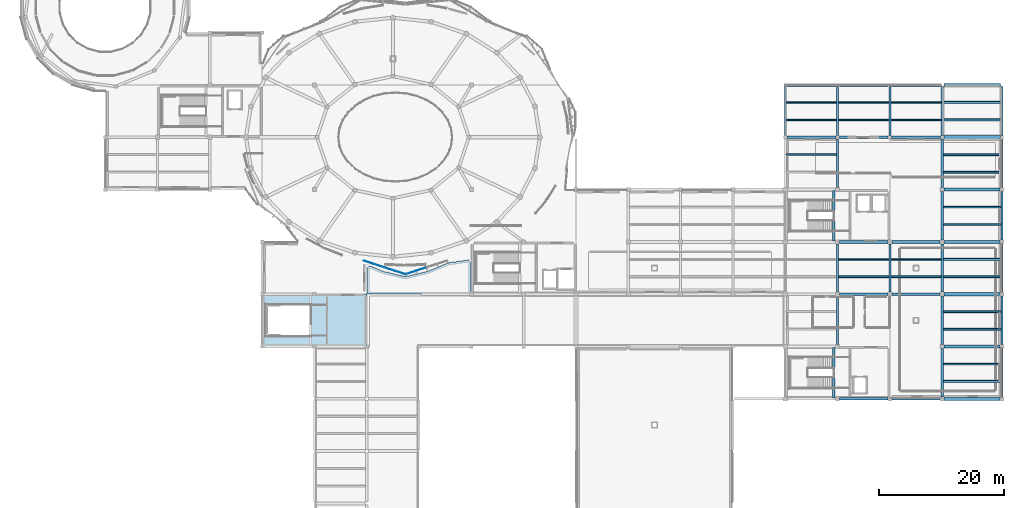
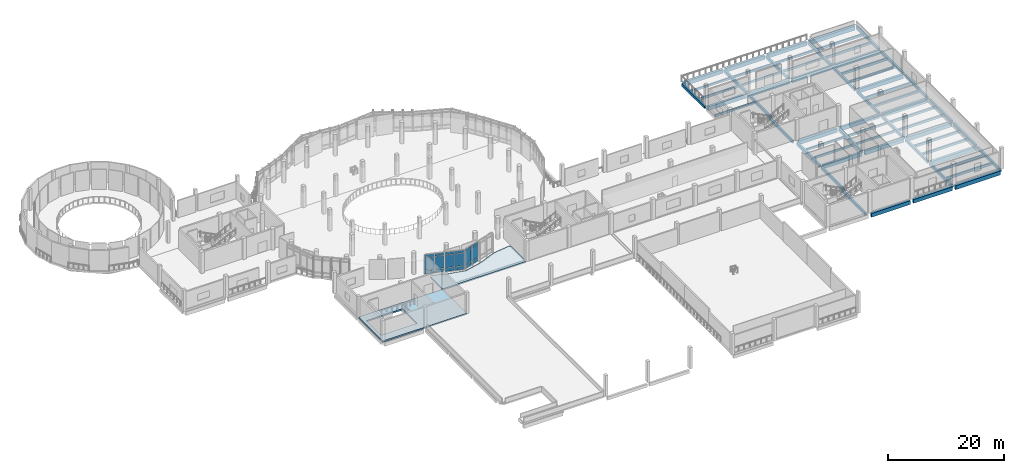
# One storey, part 20 of 46: 63 beams, 18 plates, 2 slabs, 3 elements without a shape of their own.
"""IFC4 building model written with IfcOpenShell, lengths in metres."""

from ifc_helpers import new_model, si_unit, derived_unit, direction, frame, origin, origin_2d, place, context, subcontext, project, spatial, polyline, rectangle, outline, extrude, material, layer, layer_set, material_profile, profile_set, type_object, element, aggregate, save


model = new_model("IFC4")

# Units and contexts
model_context = context("Model", 3, precision=1e-05, world=origin(), true_north=direction((0.0, 1.0)))
body_context = subcontext(model_context, "Body", "Model", "MODEL_VIEW")
ifc_project = project(units=[si_unit("LENGTHUNIT", "METRE"), si_unit("AREAUNIT", "SQUARE_METRE"), si_unit("VOLUMEUNIT", "CUBIC_METRE"), si_unit("PLANEANGLEUNIT", "RADIAN"), si_unit("MASSUNIT", "GRAM", prefix="KILO"), derived_unit("THERMALTRANSMITTANCEUNIT", [(si_unit("POWERUNIT", "WATT"), 1), (si_unit("LENGTHUNIT", "METRE"), -2), (si_unit("THERMODYNAMICTEMPERATUREUNIT", "KELVIN"), -1)])], contexts=[model_context])

# Site, building, storey
site_placement = place(None, origin())
site = spatial("IfcSite", under=ifc_project, at=site_placement, CompositionType="ELEMENT")
building_placement = place(site_placement, origin())
building = spatial("IfcBuilding", under=site, at=building_placement, Name="Elbkamm Science Centre", CompositionType="ELEMENT")
storey_placement = place(building_placement, frame((0.0, 0.0, 9.89990234375)))
storey = spatial("IfcBuildingStorey", under=building, at=storey_placement, Name="L02", CompositionType="ELEMENT", Elevation=9.89990234375)

# Beams
ifc_material_1 = material(Name="Concrete C40/50", Category="concrete")
ifc_material_profile_1 = material_profile(ifc_material_1, rectangle(XDim=0.35009765625, YDim=0.60009765625, at=origin_2d()), Name="RC 350x600")
ifc_profile_set_1 = profile_set([ifc_material_profile_1], Name="Concrete C40/50")
beam_type_1 = type_object("IfcBeamType", Name="BM-RC-350x600", PredefinedType="BEAM", material=ifc_profile_set_1)
beam_1_placement = place(storey_placement, frame((126.0, 67.47509765625, -0.52001953125), z_axis=(0.0, 1.0, 0.0), x_axis=(-1.0, 0.0, 0.0)))
element("IfcBeam", 1, at=beam_1_placement, inside=storey, type_object=beam_type_1, Name="L02 Primary Y-Girder 021", PredefinedType="BEAM", context=body_context, shape_type="SweptSolid", body=[
    extrude(rectangle(XDim=0.35009765625, YDim=0.60009765625, at=origin_2d()), origin(), (0.0, 0.0, 1.0), 7.849853515625),
])
for number, where, z_axis, x_axis, name in (
    (2, (134.39990234375, 33.925048828125, -0.599853515625), (0.0, 1.0, 0.0), (-1.0, 0.0, 0.0), "L02 Primary Y-Girder 022"),
    (3, (134.39990234375, 42.324951171875, -0.599853515625), (0.0, 1.0, 0.0), (-1.0, 0.0, 0.0), "L02 Primary Y-Girder 023"),
):
    element("IfcBeam", number, at=place(storey_placement, frame(where, z_axis=z_axis, x_axis=x_axis)), inside=storey, type_object=beam_type_1, Name=name, PredefinedType="BEAM", context=body_context, shape_type="SweptSolid", body=[
        extrude(rectangle(XDim=0.35009765625, YDim=0.60009765625, at=origin_2d()), origin(), (0.0, 0.0, 1.0), 7.75),
    ])
beam_2_placement = place(storey_placement, frame((134.39990234375, 59.125, -0.599853515625), z_axis=(0.0, 1.0, 0.0), x_axis=(-1.0, 0.0, 0.0)))
element("IfcBeam", 4, at=beam_2_placement, inside=storey, type_object=beam_type_1, Name="L02 Primary Y-Girder 024", PredefinedType="BEAM", context=body_context, shape_type="SweptSolid", body=[
    extrude(rectangle(XDim=0.35009765625, YDim=0.60009765625, at=origin_2d()), origin(), (0.0, 0.0, 1.0), 7.800048828125),
])
beam_3_placement = place(storey_placement, frame((134.39990234375, 67.47509765625, -0.52001953125), z_axis=(0.0, 1.0, 0.0), x_axis=(-1.0, 0.0, 0.0)))
element("IfcBeam", 5, at=beam_3_placement, inside=storey, type_object=beam_type_1, Name="L02 Primary Y-Girder 025", PredefinedType="BEAM", context=body_context, shape_type="SweptSolid", body=[
    extrude(rectangle(XDim=0.35009765625, YDim=0.60009765625, at=origin_2d()), origin(), (0.0, 0.0, 1.0), 7.849853515625),
])
beam_4_placement = place(storey_placement, frame((142.800048828125, 42.324951171875, -0.599853515625), z_axis=(0.0, 1.0, 0.0), x_axis=(-1.0, 0.0, 0.0)))
element("IfcBeam", 6, at=beam_4_placement, inside=storey, type_object=beam_type_1, Name="L02 Primary Y-Girder 026", PredefinedType="BEAM", context=body_context, shape_type="SweptSolid", body=[
    extrude(rectangle(XDim=0.35009765625, YDim=0.60009765625, at=origin_2d()), origin(), (0.0, 0.0, 1.0), 7.75),
])
beam_5_placement = place(storey_placement, frame((142.800048828125, 67.47509765625, -0.52001953125), z_axis=(0.0, 1.0, 0.0), x_axis=(-1.0, 0.0, 0.0)))
element("IfcBeam", 7, at=beam_5_placement, inside=storey, type_object=beam_type_1, Name="L02 Primary Y-Girder 027", PredefinedType="BEAM", context=body_context, shape_type="SweptSolid", body=[
    extrude(rectangle(XDim=0.35009765625, YDim=0.60009765625, at=origin_2d()), origin(), (0.0, 0.0, 1.0), 7.849853515625),
])
for number, where, z_axis, x_axis, name in (
    (8, (151.199951171875, 25.52490234375, -0.599853515625), (0.0, 1.0, 0.0), (-1.0, 0.0, 0.0), "L02 Primary Y-Girder 028"),
    (9, (151.199951171875, 33.925048828125, -0.599853515625), (0.0, 1.0, 0.0), (-1.0, 0.0, 0.0), "L02 Primary Y-Girder 029"),
    (10, (151.199951171875, 42.324951171875, -0.599853515625), (0.0, 1.0, 0.0), (-1.0, 0.0, 0.0), "L02 Primary Y-Girder 030"),
    (11, (151.199951171875, 50.72509765625, -0.599853515625), (0.0, 1.0, 0.0), (-1.0, 0.0, 0.0), "L02 Primary Y-Girder 031"),
):
    element("IfcBeam", number, at=place(storey_placement, frame(where, z_axis=z_axis, x_axis=x_axis)), inside=storey, type_object=beam_type_1, Name=name, PredefinedType="BEAM", context=body_context, shape_type="SweptSolid", body=[
        extrude(rectangle(XDim=0.35009765625, YDim=0.60009765625, at=origin_2d()), origin(), (0.0, 0.0, 1.0), 7.75),
    ])
beam_6_placement = place(storey_placement, frame((151.199951171875, 59.125, -0.599853515625), z_axis=(0.0, 1.0, 0.0), x_axis=(-1.0, 0.0, 0.0)))
element("IfcBeam", 12, at=beam_6_placement, inside=storey, type_object=beam_type_1, Name="L02 Primary Y-Girder 032", PredefinedType="BEAM", context=body_context, shape_type="SweptSolid", body=[
    extrude(rectangle(XDim=0.35009765625, YDim=0.60009765625, at=origin_2d()), origin(), (0.0, 0.0, 1.0), 7.800048828125),
])
beam_7_placement = place(storey_placement, frame((151.199951171875, 67.47509765625, -0.52001953125), z_axis=(0.0, 1.0, 0.0), x_axis=(-1.0, 0.0, 0.0)))
element("IfcBeam", 13, at=beam_7_placement, inside=storey, type_object=beam_type_1, Name="L02 Primary Y-Girder 033", PredefinedType="BEAM", context=body_context, shape_type="SweptSolid", body=[
    extrude(rectangle(XDim=0.35009765625, YDim=0.60009765625, at=origin_2d()), origin(), (0.0, 0.0, 1.0), 7.849853515625),
])
for number, where, z_axis, x_axis, name in (
    (14, (160.800048828125, 25.52490234375, -0.599853515625), (0.0, 1.0, 0.0), (-1.0, 0.0, 0.0), "L02 Primary Y-Girder 034"),
    (15, (160.800048828125, 33.925048828125, -0.599853515625), (0.0, 1.0, 0.0), (-1.0, 0.0, 0.0), "L02 Primary Y-Girder 035"),
    (16, (160.800048828125, 42.324951171875, -0.599853515625), (0.0, 1.0, 0.0), (-1.0, 0.0, 0.0), "L02 Primary Y-Girder 036"),
    (17, (160.800048828125, 50.72509765625, -0.599853515625), (0.0, 1.0, 0.0), (-1.0, 0.0, 0.0), "L02 Primary Y-Girder 037"),
):
    element("IfcBeam", number, at=place(storey_placement, frame(where, z_axis=z_axis, x_axis=x_axis)), inside=storey, type_object=beam_type_1, Name=name, PredefinedType="BEAM", context=body_context, shape_type="SweptSolid", body=[
        extrude(rectangle(XDim=0.35009765625, YDim=0.60009765625, at=origin_2d()), origin(), (0.0, 0.0, 1.0), 7.75),
    ])
beam_8_placement = place(storey_placement, frame((160.800048828125, 59.125, -0.599853515625), z_axis=(0.0, 1.0, 0.0), x_axis=(-1.0, 0.0, 0.0)))
element("IfcBeam", 18, at=beam_8_placement, inside=storey, type_object=beam_type_1, Name="L02 Primary Y-Girder 038", PredefinedType="BEAM", context=body_context, shape_type="SweptSolid", body=[
    extrude(rectangle(XDim=0.35009765625, YDim=0.60009765625, at=origin_2d()), origin(), (0.0, 0.0, 1.0), 7.800048828125),
])
beam_9_placement = place(storey_placement, frame((160.800048828125, 67.47509765625, -0.56982421875), z_axis=(0.0, 1.0, 0.0), x_axis=(-1.0, 0.0, 0.0)))
element("IfcBeam", 19, at=beam_9_placement, inside=storey, type_object=beam_type_1, Name="L02 Primary Y-Girder 039", PredefinedType="BEAM", context=body_context, shape_type="SweptSolid", body=[
    extrude(rectangle(XDim=0.35009765625, YDim=0.60009765625, at=origin_2d()), origin(), (0.0, 0.0, 1.0), 7.849853515625),
])
for number, where, z_axis, x_axis, name in (
    (20, (133.780029296875, 50.550048828125, -0.2998046875), (0.0, 1.0, 0.0), (-1.0, 0.0, 0.0), "L02 ST-C3 Landing Trimmer Beam"),
    (21, (133.780029296875, 25.35009765625, -0.2998046875), (0.0, 1.0, 0.0), (-1.0, 0.0, 0.0), "L02 ST-C4 Landing Trimmer Beam"),
):
    element("IfcBeam", number, at=place(storey_placement, frame(where, z_axis=z_axis, x_axis=x_axis)), inside=storey, type_object=beam_type_1, Name=name, PredefinedType="BEAM", context=body_context, shape_type="SweptSolid", body=[
        extrude(rectangle(XDim=0.35009765625, YDim=0.60009765625, at=origin_2d()), origin(), (0.0, 0.0, 1.0), 8.099853515625),
    ])
ifc_material_profile_2 = material_profile(ifc_material_1, rectangle(XDim=0.449951171875, YDim=0.800048828125, at=origin_2d()), Name="RC 450x800")
ifc_profile_set_2 = profile_set([ifc_material_profile_2], Name="Concrete C40/50")
beam_type_2 = type_object("IfcBeamType", Name="BM-RC-450x800", PredefinedType="BEAM", material=ifc_profile_set_2)
for number, where, z_axis, x_axis, name in (
    (22, (134.72509765625, 25.199951171875, -0.699951171875), (1.0, 0.0, 0.0), (0.0, 1.0, 0.0), "L02 Primary X-Girder 003"),
    (23, (143.125, 25.199951171875, -0.699951171875), (1.0, 0.0, 0.0), (0.0, 1.0, 0.0), "L02 Primary X-Girder 004"),
    (24, (134.72509765625, 42.0, -0.699951171875), (1.0, 0.0, 0.0), (0.0, 1.0, 0.0), "L02 Primary X-Girder 018"),
    (25, (143.125, 42.0, -0.699951171875), (1.0, 0.0, 0.0), (0.0, 1.0, 0.0), "L02 Primary X-Girder 019"),
    (26, (134.72509765625, 50.39990234375, -0.699951171875), (1.0, 0.0, 0.0), (0.0, 1.0, 0.0), "L02 Primary X-Girder 025"),
    (27, (143.125, 50.39990234375, -0.699951171875), (1.0, 0.0, 0.0), (0.0, 1.0, 0.0), "L02 Primary X-Girder 026"),
):
    element("IfcBeam", number, at=place(storey_placement, frame(where, z_axis=z_axis, x_axis=x_axis)), inside=storey, type_object=beam_type_2, Name=name, PredefinedType="BEAM", context=body_context, shape_type="SweptSolid", body=[
        extrude(rectangle(XDim=0.449951171875, YDim=0.800048828125, at=origin_2d()), origin(), (0.0, 0.0, 1.0), 7.75),
    ])
beam_10_placement = place(storey_placement, frame((126.27490234375, 67.199951171875, -0.699951171875), z_axis=(1.0, 0.0, 0.0), x_axis=(0.0, 1.0, 0.0)))
element("IfcBeam", 28, at=beam_10_placement, inside=storey, type_object=beam_type_2, Name="L02 Primary X-Girder 038", PredefinedType="BEAM", context=body_context, shape_type="SweptSolid", body=[
    extrude(rectangle(XDim=0.449951171875, YDim=0.800048828125, at=origin_2d()), origin(), (0.0, 0.0, 1.0), 7.85009765625),
])
beam_11_placement = place(storey_placement, frame((134.675048828125, 67.199951171875, -0.699951171875), z_axis=(1.0, 0.0, 0.0), x_axis=(0.0, 1.0, 0.0)))
element("IfcBeam", 29, at=beam_11_placement, inside=storey, type_object=beam_type_2, Name="L02 Primary X-Girder 039", PredefinedType="BEAM", context=body_context, shape_type="SweptSolid", body=[
    extrude(rectangle(XDim=0.449951171875, YDim=0.800048828125, at=origin_2d()), origin(), (0.0, 0.0, 1.0), 7.849853515625),
])
for number, where, z_axis, x_axis, name in (
    (30, (143.074951171875, 67.199951171875, -0.699951171875), (1.0, 0.0, 0.0), (0.0, 1.0, 0.0), "L02 Primary X-Girder 040"),
    (31, (126.27490234375, 75.60009765625, -0.619873046875), (1.0, 0.0, 0.0), (0.0, 1.0, 0.0), "L02 Primary X-Girder 042"),
):
    element("IfcBeam", number, at=place(storey_placement, frame(where, z_axis=z_axis, x_axis=x_axis)), inside=storey, type_object=beam_type_2, Name=name, PredefinedType="BEAM", context=body_context, shape_type="SweptSolid", body=[
        extrude(rectangle(XDim=0.449951171875, YDim=0.800048828125, at=origin_2d()), origin(), (0.0, 0.0, 1.0), 7.85009765625),
    ])
beam_12_placement = place(storey_placement, frame((134.675048828125, 75.60009765625, -0.619873046875), z_axis=(1.0, 0.0, 0.0), x_axis=(0.0, 1.0, 0.0)))
element("IfcBeam", 32, at=beam_12_placement, inside=storey, type_object=beam_type_2, Name="L02 Primary X-Girder 043", PredefinedType="BEAM", context=body_context, shape_type="SweptSolid", body=[
    extrude(rectangle(XDim=0.449951171875, YDim=0.800048828125, at=origin_2d()), origin(), (0.0, 0.0, 1.0), 7.849853515625),
])
beam_13_placement = place(storey_placement, frame((143.074951171875, 75.60009765625, -0.619873046875), z_axis=(1.0, 0.0, 0.0), x_axis=(0.0, 1.0, 0.0)))
element("IfcBeam", 33, at=beam_13_placement, inside=storey, type_object=beam_type_2, Name="L02 Primary X-Girder 044", PredefinedType="BEAM", context=body_context, shape_type="SweptSolid", body=[
    extrude(rectangle(XDim=0.449951171875, YDim=0.800048828125, at=origin_2d()), origin(), (0.0, 0.0, 1.0), 7.85009765625),
])
ifc_material_profile_3 = material_profile(ifc_material_1, rectangle(XDim=0.5, YDim=0.85009765625, at=origin_2d()), Name="RC 500x850")
ifc_profile_set_3 = profile_set([ifc_material_profile_3], Name="Concrete C40/50")
beam_type_3 = type_object("IfcBeamType", Name="BM-RC-500x850", PredefinedType="BEAM", material=ifc_profile_set_3)
for number, where, z_axis, x_axis, name in (
    (34, (151.52490234375, 25.199951171875, -0.724853515625), (1.0, 0.0, 0.0), (0.0, 1.0, 0.0), "L02 Primary X-Girder 005"),
    (35, (151.52490234375, 33.60009765625, -0.724853515625), (1.0, 0.0, 0.0), (0.0, 1.0, 0.0), "L02 Primary X-Girder 009"),
    (36, (151.52490234375, 42.0, -0.724853515625), (1.0, 0.0, 0.0), (0.0, 1.0, 0.0), "L02 Primary X-Girder 020"),
    (37, (151.52490234375, 50.39990234375, -0.724853515625), (1.0, 0.0, 0.0), (0.0, 1.0, 0.0), "L02 Primary X-Girder 027"),
    (38, (151.52490234375, 58.800048828125, -0.724853515625), (1.0, 0.0, 0.0), (0.0, 1.0, 0.0), "L02 Primary X-Girder 035"),
):
    element("IfcBeam", number, at=place(storey_placement, frame(where, z_axis=z_axis, x_axis=x_axis)), inside=storey, type_object=beam_type_3, Name=name, PredefinedType="BEAM", context=body_context, shape_type="SweptSolid", body=[
        extrude(rectangle(XDim=0.5, YDim=0.85009765625, at=origin_2d()), origin(), (0.0, 0.0, 1.0), 8.9501953125),
    ])
for number, where, z_axis, x_axis, name in (
    (39, (151.47509765625, 67.199951171875, -0.724853515625), (1.0, 0.0, 0.0), (0.0, 1.0, 0.0), "L02 Primary X-Girder 041"),
    (40, (151.47509765625, 75.60009765625, -0.69482421875), (1.0, 0.0, 0.0), (0.0, 1.0, 0.0), "L02 Primary X-Girder 045"),
):
    element("IfcBeam", number, at=place(storey_placement, frame(where, z_axis=z_axis, x_axis=x_axis)), inside=storey, type_object=beam_type_3, Name=name, PredefinedType="BEAM", context=body_context, shape_type="SweptSolid", body=[
        extrude(rectangle(XDim=0.5, YDim=0.85009765625, at=origin_2d()), origin(), (0.0, 0.0, 1.0), 9.0498046875),
    ])
ifc_material_profile_4 = material_profile(ifc_material_1, rectangle(XDim=0.25, YDim=0.449951171875, at=origin_2d()), Name="RC 250x450")
ifc_profile_set_4 = profile_set([ifc_material_profile_4], Name="Concrete C40/50")
beam_type_4 = type_object("IfcBeamType", Name="JST-RC-250x450", PredefinedType="JOIST", material=ifc_profile_set_4)
for number, where, z_axis, x_axis, name in (
    (41, (126.179931640625, 64.39990234375, -0.52490234375), (1.0, 0.0, 0.0), (0.0, 1.0, 0.0), "L02 Secondary Floor Joist 022"),
    (42, (126.179931640625, 70.0, -0.44482421875), (1.0, 0.0, 0.0), (0.0, 1.0, 0.0), "L02 Secondary Floor Joist 023"),
    (43, (126.179931640625, 72.800048828125, -0.44482421875), (1.0, 0.0, 0.0), (0.0, 1.0, 0.0), "L02 Secondary Floor Joist 024"),
    (44, (134.580078125, 44.800048828125, -0.52490234375), (1.0, 0.0, 0.0), (0.0, 1.0, 0.0), "L02 Secondary Floor Joist 025"),
    (45, (134.580078125, 47.60009765625, -0.52490234375), (1.0, 0.0, 0.0), (0.0, 1.0, 0.0), "L02 Secondary Floor Joist 026"),
    (46, (134.580078125, 70.0, -0.44482421875), (1.0, 0.0, 0.0), (0.0, 1.0, 0.0), "L02 Secondary Floor Joist 027"),
    (47, (134.580078125, 72.800048828125, -0.44482421875), (1.0, 0.0, 0.0), (0.0, 1.0, 0.0), "L02 Secondary Floor Joist 028"),
    (48, (142.97998046875, 44.800048828125, -0.52490234375), (1.0, 0.0, 0.0), (0.0, 1.0, 0.0), "L02 Secondary Floor Joist 029"),
    (49, (142.97998046875, 47.60009765625, -0.52490234375), (1.0, 0.0, 0.0), (0.0, 1.0, 0.0), "L02 Secondary Floor Joist 030"),
    (50, (142.97998046875, 70.0, -0.44482421875), (1.0, 0.0, 0.0), (0.0, 1.0, 0.0), "L02 Secondary Floor Joist 031"),
    (51, (142.97998046875, 72.800048828125, -0.44482421875), (1.0, 0.0, 0.0), (0.0, 1.0, 0.0), "L02 Secondary Floor Joist 032"),
):
    element("IfcBeam", number, at=place(storey_placement, frame(where, z_axis=z_axis, x_axis=x_axis)), inside=storey, type_object=beam_type_4, Name=name, PredefinedType="JOIST", context=body_context, shape_type="SweptSolid", body=[
        extrude(rectangle(XDim=0.25, YDim=0.449951171875, at=origin_2d()), origin(), (0.0, 0.0, 1.0), 8.0400390625),
    ])
ifc_material_profile_5 = material_profile(ifc_material_1, rectangle(XDim=0.300048828125, YDim=0.5, at=origin_2d()), Name="RC 300x500")
ifc_profile_set_5 = profile_set([ifc_material_profile_5], Name="Concrete C40/50")
beam_type_5 = type_object("IfcBeamType", Name="JST-RC-300x500", PredefinedType="JOIST", material=ifc_profile_set_5)
for number, where, z_axis, x_axis, name in (
    (52, (151.3798828125, 28.0, -0.5498046875), (1.0, 0.0, 0.0), (0.0, 1.0, 0.0), "L02 Secondary Floor Joist 033"),
    (53, (151.3798828125, 30.800048828125, -0.5498046875), (1.0, 0.0, 0.0), (0.0, 1.0, 0.0), "L02 Secondary Floor Joist 034"),
    (54, (151.3798828125, 36.39990234375, -0.5498046875), (1.0, 0.0, 0.0), (0.0, 1.0, 0.0), "L02 Secondary Floor Joist 035"),
    (55, (151.3798828125, 39.199951171875, -0.5498046875), (1.0, 0.0, 0.0), (0.0, 1.0, 0.0), "L02 Secondary Floor Joist 036"),
    (56, (151.3798828125, 44.800048828125, -0.5498046875), (1.0, 0.0, 0.0), (0.0, 1.0, 0.0), "L02 Secondary Floor Joist 037"),
    (57, (151.3798828125, 47.60009765625, -0.5498046875), (1.0, 0.0, 0.0), (0.0, 1.0, 0.0), "L02 Secondary Floor Joist 038"),
    (58, (151.3798828125, 53.199951171875, -0.5498046875), (1.0, 0.0, 0.0), (0.0, 1.0, 0.0), "L02 Secondary Floor Joist 039"),
    (59, (151.3798828125, 56.0, -0.5498046875), (1.0, 0.0, 0.0), (0.0, 1.0, 0.0), "L02 Secondary Floor Joist 040"),
    (60, (151.3798828125, 61.60009765625, -0.5498046875), (1.0, 0.0, 0.0), (0.0, 1.0, 0.0), "L02 Secondary Floor Joist 041"),
    (61, (151.3798828125, 64.39990234375, -0.5498046875), (1.0, 0.0, 0.0), (0.0, 1.0, 0.0), "L02 Secondary Floor Joist 042"),
    (62, (151.3798828125, 70.0, -0.52001953125), (1.0, 0.0, 0.0), (0.0, 1.0, 0.0), "L02 Step-Back Secondary Floor Joist 009"),
    (63, (151.3798828125, 72.800048828125, -0.52001953125), (1.0, 0.0, 0.0), (0.0, 1.0, 0.0), "L02 Step-Back Secondary Floor Joist 010"),
):
    element("IfcBeam", number, at=place(storey_placement, frame(where, z_axis=z_axis, x_axis=x_axis)), inside=storey, type_object=beam_type_5, Name=name, PredefinedType="JOIST", context=body_context, shape_type="SweptSolid", body=[
        extrude(rectangle(XDim=0.300048828125, YDim=0.5, at=origin_2d()), origin(), (0.0, 0.0, 1.0), 9.240234375),
    ])

# Curtain wall, plates
ifc_material_2 = material(Name="Powder-coated aluminium and triple low-E glazing", Category="aluminium")
ifc_layer_1 = layer(ifc_material_2, 0.159912109375)
ifc_layer_set_1 = layer_set([ifc_layer_1], Name="Powder-coated aluminium and triple low-E glazing")
curtain_wall_type = type_object("IfcCurtainWallType", Name="CW-UNIT-3520x4220", PredefinedType="USERDEFINED", material=ifc_layer_set_1)
curtain_wall_1_placement = place(storey_placement, origin())
curtain_wall_1 = element("IfcCurtainWall", 64, at=curtain_wall_1_placement, inside=storey, type_object=curtain_wall_type, Name="L02 Unitised Curtain Wall 040", ObjectType="UNITISED CURTAIN WALL", PredefinedType="USERDEFINED")
ifc_material_3 = material(Name="Triple solar-control insulated safety glass", Category="glass")
ifc_layer_2 = layer(ifc_material_3, 0.0400390625)
ifc_layer_set_2 = layer_set([ifc_layer_2], Name="Triple solar-control insulated safety glass")
plate_type = type_object("IfcPlateType", Name="CW-PNL-40", PredefinedType="CURTAIN_PANEL", material=ifc_layer_set_2)
plate_1_placement = place(storey_placement, frame((59.0927734375, 47.11865234375, 0.070068359375), z_axis=(0.0, 0.0, 1.0), x_axis=(0.950616762236, -0.31036715573, 0.0)))
plate_1 = element("IfcPlate", 65, at=plate_1_placement, type_object=plate_type, Name="CW-018 panel 1.1", PredefinedType="CURTAIN_PANEL", context=body_context, shape_type="SweptSolid", body=[
    extrude(rectangle(XDim=1.652587890625, YDim=0.0400390625, at=origin_2d()), origin(), (0.0, 0.0, 1.0), 0.7451171875),
])
plate_2_placement = place(storey_placement, frame((59.0927734375, 47.11865234375, 0.88525390625), z_axis=(0.0, 0.0, 1.0), x_axis=(0.950616762236, -0.31036715573, 0.0)))
plate_2 = element("IfcPlate", 66, at=plate_2_placement, type_object=plate_type, Name="CW-018 panel 1.2", PredefinedType="CURTAIN_PANEL", context=body_context, shape_type="SweptSolid", body=[
    extrude(rectangle(XDim=1.652587890625, YDim=0.0400390625, at=origin_2d()), origin(), (0.0, 0.0, 1.0), 2.64990234375),
])
plate_3_placement = place(storey_placement, frame((59.0927734375, 47.11865234375, 3.605224609375), z_axis=(0.0, 0.0, 1.0), x_axis=(0.950616762236, -0.31036715573, 0.0)))
plate_3 = element("IfcPlate", 67, at=plate_3_placement, type_object=plate_type, Name="CW-018 panel 1.3", PredefinedType="CURTAIN_PANEL", context=body_context, shape_type="SweptSolid", body=[
    extrude(rectangle(XDim=1.652587890625, YDim=0.0400390625, at=origin_2d()), origin(), (0.0, 0.0, 1.0), 0.544921875),
])
plate_4_placement = place(storey_placement, frame((60.730224609375, 46.583984375, 0.070068359375), z_axis=(0.0, 0.0, 1.0), x_axis=(0.950616762236, -0.31036715573, 0.0)))
plate_4 = element("IfcPlate", 68, at=plate_4_placement, type_object=plate_type, Name="CW-018 panel 2.1", PredefinedType="CURTAIN_PANEL", context=body_context, shape_type="SweptSolid", body=[
    extrude(rectangle(XDim=1.652587890625, YDim=0.0400390625, at=origin_2d()), origin(), (0.0, 0.0, 1.0), 0.7451171875),
])
plate_5_placement = place(storey_placement, frame((60.730224609375, 46.583984375, 0.88525390625), z_axis=(0.0, 0.0, 1.0), x_axis=(0.950616762236, -0.31036715573, 0.0)))
plate_5 = element("IfcPlate", 69, at=plate_5_placement, type_object=plate_type, Name="CW-018 panel 2.2", PredefinedType="CURTAIN_PANEL", context=body_context, shape_type="SweptSolid", body=[
    extrude(rectangle(XDim=1.652587890625, YDim=0.0400390625, at=origin_2d()), origin(), (0.0, 0.0, 1.0), 2.64990234375),
])
plate_6_placement = place(storey_placement, frame((60.730224609375, 46.583984375, 3.605224609375), z_axis=(0.0, 0.0, 1.0), x_axis=(0.950616762236, -0.31036715573, 0.0)))
plate_6 = element("IfcPlate", 70, at=plate_6_placement, type_object=plate_type, Name="CW-018 panel 2.3", PredefinedType="CURTAIN_PANEL", context=body_context, shape_type="SweptSolid", body=[
    extrude(rectangle(XDim=1.652587890625, YDim=0.0400390625, at=origin_2d()), origin(), (0.0, 0.0, 1.0), 0.544921875),
])
aggregate(curtain_wall_1, [plate_1, plate_2, plate_3, plate_4, plate_5, plate_6])

curtain_wall_2_placement = place(storey_placement, origin())
curtain_wall_2 = element("IfcCurtainWall", 71, at=curtain_wall_2_placement, inside=storey, type_object=curtain_wall_type, Name="L02 Unitised Curtain Wall 041", ObjectType="UNITISED CURTAIN WALL", PredefinedType="USERDEFINED")
plate_7_placement = place(storey_placement, frame((62.510498046875, 46.0029296875, 0.070068359375), z_axis=(0.0, 0.0, 1.0), x_axis=(0.950616762236, -0.31036715573, 0.0)))
plate_7 = element("IfcPlate", 72, at=plate_7_placement, type_object=plate_type, Name="CW-018 panel 1.1", PredefinedType="CURTAIN_PANEL", context=body_context, shape_type="SweptSolid", body=[
    extrude(rectangle(XDim=1.652587890625, YDim=0.0400390625, at=origin_2d()), origin(), (0.0, 0.0, 1.0), 0.7451171875),
])
plate_8_placement = place(storey_placement, frame((62.510498046875, 46.0029296875, 0.88525390625), z_axis=(0.0, 0.0, 1.0), x_axis=(0.950616762236, -0.31036715573, 0.0)))
plate_8 = element("IfcPlate", 73, at=plate_8_placement, type_object=plate_type, Name="CW-018 panel 1.2", PredefinedType="CURTAIN_PANEL", context=body_context, shape_type="SweptSolid", body=[
    extrude(rectangle(XDim=1.652587890625, YDim=0.0400390625, at=origin_2d()), origin(), (0.0, 0.0, 1.0), 2.64990234375),
])
plate_9_placement = place(storey_placement, frame((62.510498046875, 46.0029296875, 3.605224609375), z_axis=(0.0, 0.0, 1.0), x_axis=(0.950616762236, -0.31036715573, 0.0)))
plate_9 = element("IfcPlate", 74, at=plate_9_placement, type_object=plate_type, Name="CW-018 panel 1.3", PredefinedType="CURTAIN_PANEL", context=body_context, shape_type="SweptSolid", body=[
    extrude(rectangle(XDim=1.652587890625, YDim=0.0400390625, at=origin_2d()), origin(), (0.0, 0.0, 1.0), 0.544921875),
])
plate_10_placement = place(storey_placement, frame((64.14794921875, 45.46826171875, 0.070068359375), z_axis=(0.0, 0.0, 1.0), x_axis=(0.950616762236, -0.31036715573, 0.0)))
plate_10 = element("IfcPlate", 75, at=plate_10_placement, type_object=plate_type, Name="CW-018 panel 2.1", PredefinedType="CURTAIN_PANEL", context=body_context, shape_type="SweptSolid", body=[
    extrude(rectangle(XDim=1.652587890625, YDim=0.0400390625, at=origin_2d()), origin(), (0.0, 0.0, 1.0), 0.7451171875),
])
plate_11_placement = place(storey_placement, frame((64.14794921875, 45.46826171875, 0.88525390625), z_axis=(0.0, 0.0, 1.0), x_axis=(0.950616762236, -0.31036715573, 0.0)))
plate_11 = element("IfcPlate", 76, at=plate_11_placement, type_object=plate_type, Name="CW-018 panel 2.2", PredefinedType="CURTAIN_PANEL", context=body_context, shape_type="SweptSolid", body=[
    extrude(rectangle(XDim=1.652587890625, YDim=0.0400390625, at=origin_2d()), origin(), (0.0, 0.0, 1.0), 2.64990234375),
])
plate_12_placement = place(storey_placement, frame((64.14794921875, 45.46826171875, 3.605224609375), z_axis=(0.0, 0.0, 1.0), x_axis=(0.950616762236, -0.31036715573, 0.0)))
plate_12 = element("IfcPlate", 77, at=plate_12_placement, type_object=plate_type, Name="CW-018 panel 2.3", PredefinedType="CURTAIN_PANEL", context=body_context, shape_type="SweptSolid", body=[
    extrude(rectangle(XDim=1.652587890625, YDim=0.0400390625, at=origin_2d()), origin(), (0.0, 0.0, 1.0), 0.544921875),
])
aggregate(curtain_wall_2, [plate_7, plate_8, plate_9, plate_10, plate_11, plate_12])

curtain_wall_3_placement = place(storey_placement, origin())
curtain_wall_3 = element("IfcCurtainWall", 78, at=curtain_wall_3_placement, inside=storey, type_object=curtain_wall_type, Name="L02 Unitised Curtain Wall 042", ObjectType="UNITISED CURTAIN WALL", PredefinedType="USERDEFINED")
plate_13_placement = place(storey_placement, frame((65.85205078125, 45.46826171875, 0.070068359375), z_axis=(0.0, 0.0, 1.0), x_axis=(0.950616762236, 0.31036715573, 0.0)))
plate_13 = element("IfcPlate", 79, at=plate_13_placement, type_object=plate_type, Name="CW-018 panel 1.1", PredefinedType="CURTAIN_PANEL", context=body_context, shape_type="SweptSolid", body=[
    extrude(rectangle(XDim=1.652587890625, YDim=0.0400390625, at=origin_2d()), origin(), (0.0, 0.0, 1.0), 0.7451171875),
])
plate_14_placement = place(storey_placement, frame((65.85205078125, 45.46826171875, 0.88525390625), z_axis=(0.0, 0.0, 1.0), x_axis=(0.950616762236, 0.31036715573, 0.0)))
plate_14 = element("IfcPlate", 80, at=plate_14_placement, type_object=plate_type, Name="CW-018 panel 1.2", PredefinedType="CURTAIN_PANEL", context=body_context, shape_type="SweptSolid", body=[
    extrude(rectangle(XDim=1.652587890625, YDim=0.0400390625, at=origin_2d()), origin(), (0.0, 0.0, 1.0), 2.64990234375),
])
plate_15_placement = place(storey_placement, frame((65.85205078125, 45.46826171875, 3.605224609375), z_axis=(0.0, 0.0, 1.0), x_axis=(0.950616762236, 0.31036715573, 0.0)))
plate_15 = element("IfcPlate", 81, at=plate_15_placement, type_object=plate_type, Name="CW-018 panel 1.3", PredefinedType="CURTAIN_PANEL", context=body_context, shape_type="SweptSolid", body=[
    extrude(rectangle(XDim=1.652587890625, YDim=0.0400390625, at=origin_2d()), origin(), (0.0, 0.0, 1.0), 0.544921875),
])
plate_16_placement = place(storey_placement, frame((67.489501953125, 46.0029296875, 0.070068359375), z_axis=(0.0, 0.0, 1.0), x_axis=(0.950616762236, 0.31036715573, 0.0)))
plate_16 = element("IfcPlate", 82, at=plate_16_placement, type_object=plate_type, Name="CW-018 panel 2.1", PredefinedType="CURTAIN_PANEL", context=body_context, shape_type="SweptSolid", body=[
    extrude(rectangle(XDim=1.652587890625, YDim=0.0400390625, at=origin_2d()), origin(), (0.0, 0.0, 1.0), 0.7451171875),
])
plate_17_placement = place(storey_placement, frame((67.489501953125, 46.0029296875, 0.88525390625), z_axis=(0.0, 0.0, 1.0), x_axis=(0.950616762236, 0.31036715573, 0.0)))
plate_17 = element("IfcPlate", 83, at=plate_17_placement, type_object=plate_type, Name="CW-018 panel 2.2", PredefinedType="CURTAIN_PANEL", context=body_context, shape_type="SweptSolid", body=[
    extrude(rectangle(XDim=1.652587890625, YDim=0.0400390625, at=origin_2d()), origin(), (0.0, 0.0, 1.0), 2.64990234375),
])
plate_18_placement = place(storey_placement, frame((67.489501953125, 46.0029296875, 3.605224609375), z_axis=(0.0, 0.0, 1.0), x_axis=(0.950616762236, 0.31036715573, 0.0)))
plate_18 = element("IfcPlate", 84, at=plate_18_placement, type_object=plate_type, Name="CW-018 panel 2.3", PredefinedType="CURTAIN_PANEL", context=body_context, shape_type="SweptSolid", body=[
    extrude(rectangle(XDim=1.652587890625, YDim=0.0400390625, at=origin_2d()), origin(), (0.0, 0.0, 1.0), 0.544921875),
])
aggregate(curtain_wall_3, [plate_13, plate_14, plate_15, plate_16, plate_17, plate_18])

# Slabs
ifc_material_4 = material(Name="Reinforced concrete C40/50", Category="concrete")
ifc_layer_3 = layer(ifc_material_4, 0.300048828125)
ifc_layer_set_3 = layer_set([ifc_layer_3], Name="Reinforced concrete C40/50")
slab_type_1 = type_object("IfcSlabType", Name="SLAB-FLR-300", PredefinedType="FLOOR", material=ifc_layer_set_3)
slab_1_placement = place(storey_placement, frame((0.0, 0.0, -0.2998046875)))
element("IfcSlab", 85, at=slab_1_placement, inside=storey, type_object=slab_type_1, Name="L02 Structural Slab CS-03", PredefinedType="FLOOR", context=body_context, shape_type="SweptSolid", body=[
    extrude(outline(polyline([(58.800048828125, 33.60009765625), (42.0, 33.60009765625), (42.0, 42.0), (58.800048828125, 42.0), (58.800048828125, 33.60009765625)]), holes=[polyline([(42.60009765625, 40.320068359375), (42.60009765625, 35.280029296875), (49.780029296875, 35.280029296875), (49.780029296875, 40.320068359375), (42.60009765625, 40.320068359375)])]), origin(), (0.0, 0.0, 1.0), 0.2998046875),
])
ifc_layer_4 = layer(ifc_material_4, 0.27001953125)
ifc_layer_set_4 = layer_set([ifc_layer_4], Name="Reinforced concrete C40/50")
slab_type_2 = type_object("IfcSlabType", Name="SLAB-ROOF-270", PredefinedType="ROOF", material=ifc_layer_set_4)
slab_2_placement = place(storey_placement, frame((0.0, 0.0, -0.27001953125)))
element("IfcSlab", 86, at=slab_2_placement, inside=storey, type_object=slab_type_2, Name="L02 Step-Back Roof Slab 02", PredefinedType="ROOF", context=body_context, shape_type="SweptSolid", body=[
    extrude(outline(polyline([(58.8994140625, 42.009765625), (58.898193359375, 42.01953125), (58.895751953125, 42.029052734375), (58.892333984375, 42.038330078125), (58.88818359375, 42.047119140625), (58.883056640625, 42.0556640625), (58.883056640625, 42.055908203125), (58.8642578125, 42.095458984375), (58.849365234375, 42.136962890625), (58.838623046875, 42.1796875), (58.832275390625, 42.223388671875), (58.830078125, 42.267578125), (58.830078125, 46.068115234375), (58.832275390625, 46.1123046875), (58.838623046875, 46.156005859375), (58.849365234375, 46.198974609375), (58.8642578125, 46.240478515625), (58.88330078125, 46.280517578125), (58.906005859375, 46.318359375), (58.932373046875, 46.35400390625), (58.9619140625, 46.38671875), (58.994873046875, 46.416259765625), (59.030517578125, 46.442626953125), (59.068359375, 46.465087890625), (59.1083984375, 46.484130859375), (59.14990234375, 46.498779296875), (59.19287109375, 46.509521484375), (59.236572265625, 46.51611328125), (59.28076171875, 46.518310546875), (59.32470703125, 46.515869140625), (59.36865234375, 46.509521484375), (59.411376953125, 46.49853515625), (59.452880859375, 46.483642578125), (61.4208984375, 45.663818359375), (61.42529296875, 45.662109375), (61.427490234375, 45.661376953125), (61.4296875, 45.66064453125), (61.4345703125, 45.659423828125), (62.781982421875, 45.338134765625), (64.98779296875, 44.81201171875), (64.992919921875, 44.810791015625), (64.995849609375, 44.810302734375), (64.99853515625, 44.81005859375), (65.00146484375, 44.81005859375), (65.004150390625, 44.810302734375), (65.007080078125, 44.810791015625), (65.0126953125, 44.812255859375), (68.56591796875, 45.65966796875), (68.5703125, 45.66064453125), (68.572509765625, 45.661376953125), (68.57470703125, 45.662109375), (68.57958984375, 45.6640625), (71.38525390625, 46.832763671875), (71.8046875, 47.00732421875), (71.840576171875, 47.0205078125), (71.87744140625, 47.030517578125), (71.9150390625, 47.03759765625), (74.9873046875, 47.469482421875), (75.032470703125, 47.473388671875), (75.07763671875, 47.472900390625), (75.122802734375, 47.468017578125), (75.1669921875, 47.45849609375), (75.2099609375, 47.444580078125), (75.25146484375, 47.42626953125), (75.290771484375, 47.404052734375), (75.327880859375, 47.3779296875), (75.36181640625, 47.34814453125), (75.392822265625, 47.315185546875), (75.42041015625, 47.279296875), (75.444091796875, 47.24072265625), (75.464111328125, 47.2001953125), (75.479736328125, 47.15771484375), (75.490966796875, 47.11376953125), (75.497802734375, 47.069091796875), (75.5, 47.02392578125), (75.5, 42.005615234375), (75.5, 42.0), (58.89990234375, 42.0), (58.8994140625, 42.009765625)])), origin(), (0.0, 0.0, 1.0), 0.27001953125),
])

save(model, "model.ifc")
